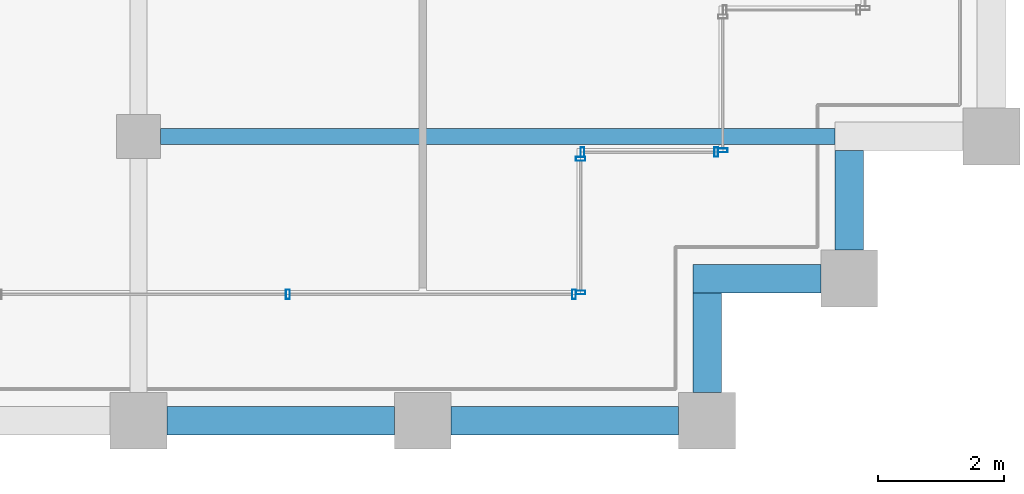
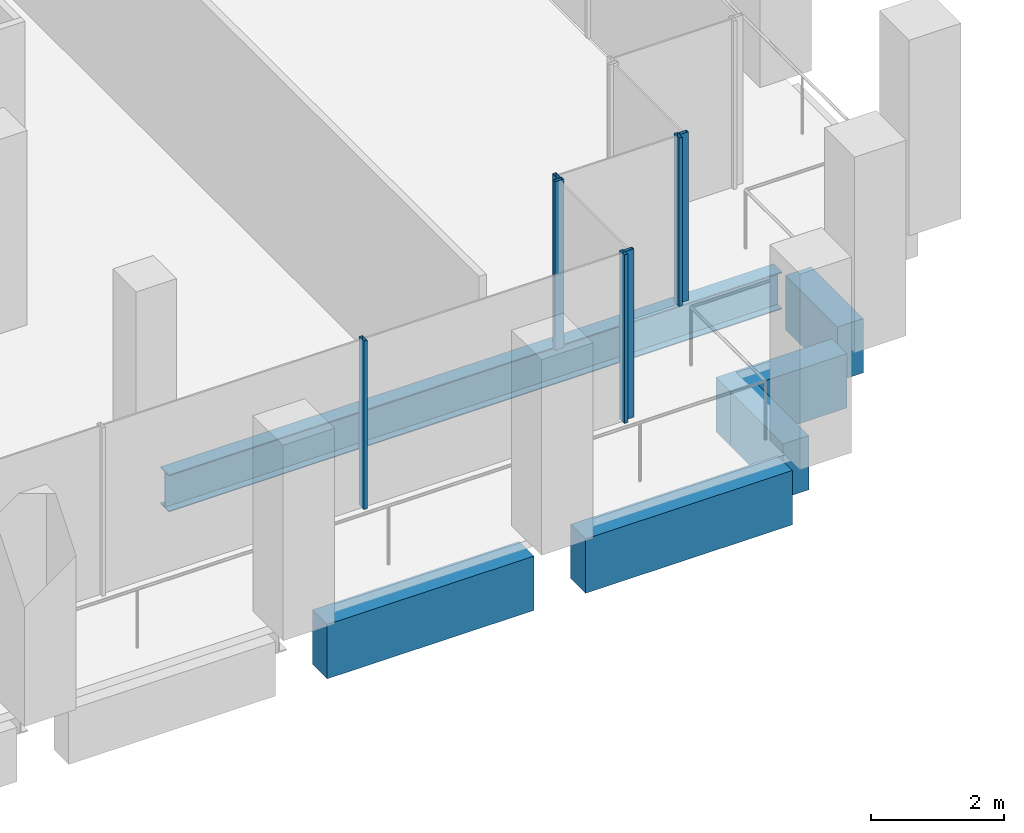
# One storey, part 12 of 40: 7 members, 6 beams, 4 elements without a shape of their own.
"""IFC4 building model written with IfcOpenShell, lengths in metres."""

from ifc_helpers import new_model, si_unit, direction, frame, origin, origin_2d, place, context, subcontext, project, spatial, rectangle, hollow_rectangle, i_section, extrude, material, material_profile, profile_set, type_object, element, aggregate, save


model = new_model("IFC4")

# Units and contexts
model_context = context("Model", 3, precision=1e-05, world=origin(), true_north=direction((0.0, 1.0)))
body_context = subcontext(model_context, "Body", "Model", "MODEL_VIEW")
ifc_project = project(units=[si_unit("LENGTHUNIT", "METRE"), si_unit("AREAUNIT", "SQUARE_METRE"), si_unit("VOLUMEUNIT", "CUBIC_METRE"), si_unit("PLANEANGLEUNIT", "RADIAN"), si_unit("MASSUNIT", "GRAM", prefix="KILO")], contexts=[model_context])

# Site, building, storey
site_placement = place(None, origin())
site = spatial("IfcSite", under=ifc_project, at=site_placement, CompositionType="ELEMENT")
building_placement = place(site_placement, origin())
building = spatial("IfcBuilding", under=site, at=building_placement, Name="Altepetl Exchange Towers", CompositionType="ELEMENT")
storey_placement = place(building_placement, frame((0.0, 0.0, 154.60009765625)))
storey = spatial("IfcBuildingStorey", under=building, at=storey_placement, Name="L38", CompositionType="ELEMENT", Elevation=154.60009765625)

# Beam
ifc_material_1 = material(Name="Steel S355", Category="steel")
ifc_material_profile_1 = material_profile(ifc_material_1, i_section(OverallWidth=0.25390625, OverallDepth=0.68408203125, WebThickness=0.012451171875, FlangeThickness=0.018798828125, at=origin_2d()), Name="W27X94")
ifc_profile_set_1 = profile_set([ifc_material_profile_1], Name="Steel S355")
beam_type_1 = type_object("IfcBeamType", Name="Floor beam W27X94", PredefinedType="BEAM", material=ifc_profile_set_1)
beam_1_placement = place(storey_placement, frame((58.85009765625, 31.5, -0.4921875), z_axis=(1.0, 0.0, 0.0), x_axis=(0.0, 1.0, 0.0)))
element("IfcBeam", 1, at=beam_1_placement, inside=storey, type_object=beam_type_1, Name="bm:A:L38:006", PredefinedType="BEAM", context=body_context, shape_type="SweptSolid", body=[
    extrude(i_section(OverallWidth=0.25390625, OverallDepth=0.68408203125, WebThickness=0.012451171875, FlangeThickness=0.018798828125, at=origin_2d()), origin(), (0.0, 0.0, 1.0), 10.6748046875),
])

# Curtain wall, members
ifc_material_2 = material(Name="Aluminium 6063-T6 glazing", Category="aluminium")
curtain_wall_type = type_object("IfcCurtainWallType", Name="Loggia glazing system", PredefinedType="NOTDEFINED", material=ifc_material_2)
curtain_wall_1_placement = place(storey_placement, origin())
curtain_wall_1 = element("IfcCurtainWall", 2, at=curtain_wall_1_placement, inside=storey, type_object=curtain_wall_type, Name="CW1 run", PredefinedType="NOTDEFINED")
ifc_material_3 = material(Name="Aluminium 6063-T6", Category="aluminium")
ifc_material_profile_2 = material_profile(ifc_material_3, hollow_rectangle(XDim=0.06005859375, YDim=0.14990234375, WallThickness=0.0029296875, at=origin_2d()), Name="Mullion 60x150 aluminium")
ifc_profile_set_2 = profile_set([ifc_material_profile_2], Name="Aluminium 6063-T6")
member_type = type_object("IfcMemberType", Name="Mullion 60x150 aluminium", PredefinedType="MULLION", material=ifc_profile_set_2)
member_1_placement = place(storey_placement, frame((60.8642578125, 29.0, 0.0)))
member_1 = element("IfcMember", 3, at=member_1_placement, type_object=member_type, Name="MU1 mullion", PredefinedType="MULLION", context=body_context, shape_type="SweptSolid", body=[
    extrude(hollow_rectangle(XDim=0.06005859375, YDim=0.14990234375, WallThickness=0.0029296875, at=origin_2d()), origin(), (0.0, 0.0, 1.0), 3.099853515625),
])
member_2_placement = place(storey_placement, frame((65.39501953125, 29.0, 0.0)))
member_2 = element("IfcMember", 4, at=member_2_placement, type_object=member_type, Name="MU1 mullion", PredefinedType="MULLION", context=body_context, shape_type="SweptSolid", body=[
    extrude(hollow_rectangle(XDim=0.06005859375, YDim=0.14990234375, WallThickness=0.0029296875, at=origin_2d()), origin(), (0.0, 0.0, 1.0), 3.099853515625),
])
aggregate(curtain_wall_1, [member_1, member_2])

curtain_wall_2_placement = place(storey_placement, origin())
curtain_wall_2 = element("IfcCurtainWall", 5, at=curtain_wall_2_placement, inside=storey, type_object=curtain_wall_type, Name="CW1 run", PredefinedType="NOTDEFINED")
member_3_placement = place(storey_placement, frame((65.5, 29.030029296875, 0.0), z_axis=(0.0, 0.0, 1.0), x_axis=(0.0, 1.0, 0.0)))
member_3 = element("IfcMember", 6, at=member_3_placement, type_object=member_type, Name="MU1 mullion", PredefinedType="MULLION", context=body_context, shape_type="SweptSolid", body=[
    extrude(hollow_rectangle(XDim=0.06005859375, YDim=0.14990234375, WallThickness=0.0029296875, at=origin_2d()), origin(), (0.0, 0.0, 1.0), 3.099853515625),
])
member_4_placement = place(storey_placement, frame((65.5, 31.14501953125, 0.0), z_axis=(0.0, 0.0, 1.0), x_axis=(0.0, 1.0, 0.0)))
member_4 = element("IfcMember", 7, at=member_4_placement, type_object=member_type, Name="MU1 mullion", PredefinedType="MULLION", context=body_context, shape_type="SweptSolid", body=[
    extrude(hollow_rectangle(XDim=0.06005859375, YDim=0.14990234375, WallThickness=0.0029296875, at=origin_2d()), origin(), (0.0, 0.0, 1.0), 3.099853515625),
])
aggregate(curtain_wall_2, [member_3, member_4])

curtain_wall_3_placement = place(storey_placement, origin())
curtain_wall_3 = element("IfcCurtainWall", 8, at=curtain_wall_3_placement, inside=storey, type_object=curtain_wall_type, Name="CW1 run", PredefinedType="NOTDEFINED")
member_5_placement = place(storey_placement, frame((65.530029296875, 31.25, 0.0)))
member_5 = element("IfcMember", 9, at=member_5_placement, type_object=member_type, Name="MU1 mullion", PredefinedType="MULLION", context=body_context, shape_type="SweptSolid", body=[
    extrude(hollow_rectangle(XDim=0.06005859375, YDim=0.14990234375, WallThickness=0.0029296875, at=origin_2d()), origin(), (0.0, 0.0, 1.0), 3.099853515625),
])
member_6_placement = place(storey_placement, frame((67.64501953125, 31.25, 0.0)))
member_6 = element("IfcMember", 10, at=member_6_placement, type_object=member_type, Name="MU1 mullion", PredefinedType="MULLION", context=body_context, shape_type="SweptSolid", body=[
    extrude(hollow_rectangle(XDim=0.06005859375, YDim=0.14990234375, WallThickness=0.0029296875, at=origin_2d()), origin(), (0.0, 0.0, 1.0), 3.099853515625),
])
aggregate(curtain_wall_3, [member_5, member_6])

# Curtain wall, member
curtain_wall_4_placement = place(storey_placement, origin())
curtain_wall_4 = element("IfcCurtainWall", 11, at=curtain_wall_4_placement, inside=storey, type_object=curtain_wall_type, Name="CW1 run", PredefinedType="NOTDEFINED")
member_7_placement = place(storey_placement, frame((67.75, 31.280029296875, 0.0), z_axis=(0.0, 0.0, 1.0), x_axis=(0.0, 1.0, 0.0)))
member_7 = element("IfcMember", 12, at=member_7_placement, type_object=member_type, Name="MU1 mullion", PredefinedType="MULLION", context=body_context, shape_type="SweptSolid", body=[
    extrude(hollow_rectangle(XDim=0.06005859375, YDim=0.14990234375, WallThickness=0.0029296875, at=origin_2d()), origin(), (0.0, 0.0, 1.0), 3.099853515625),
])
aggregate(curtain_wall_4, [member_7])

# Beams
ifc_material_4 = material(Name="Concrete C50/60 precast with cantera amarilla facing", Category="concrete")
ifc_material_profile_3 = material_profile(ifc_material_4, rectangle(XDim=0.449951171875, YDim=1.0, at=origin_2d()), Name="450 x 1000")
ifc_profile_set_3 = profile_set([ifc_material_profile_3], Name="Concrete C50/60 precast with cantera amarilla facing")
beam_type_2 = type_object("IfcBeamType", Name="Spandrel beam 450x1000 cantera amarilla", PredefinedType="SPANDREL", material=ifc_profile_set_3)
for number, where, z_axis, x_axis, name in (
    (13, (58.949951171875, 27.0, -0.650146484375), (1.0, 0.0, 0.0), (0.0, 1.0, 0.0), "sp:A:L38:006"),
    (14, (63.449951171875, 27.0, -0.650146484375), (1.0, 0.0, 0.0), (0.0, 1.0, 0.0), "sp:A:L38:007"),
):
    element("IfcBeam", number, at=place(storey_placement, frame(where, z_axis=z_axis, x_axis=x_axis)), inside=storey, type_object=beam_type_2, Name=name, PredefinedType="SPANDREL", context=body_context, shape_type="SweptSolid", body=[
        extrude(rectangle(XDim=0.449951171875, YDim=1.0, at=origin_2d()), origin(), (0.0, 0.0, 1.0), 3.60009765625),
    ])
beam_2_placement = place(storey_placement, frame((67.5, 27.449951171875, -0.650146484375), z_axis=(0.0, 1.0, 0.0), x_axis=(-1.0, 0.0, 0.0)))
element("IfcBeam", 15, at=beam_2_placement, inside=storey, type_object=beam_type_2, Name="sp:A:L38:008", PredefinedType="SPANDREL", context=body_context, shape_type="SweptSolid", body=[
    extrude(rectangle(XDim=0.449951171875, YDim=1.0, at=origin_2d()), origin(), (0.0, 0.0, 1.0), 1.574951171875),
])
beam_3_placement = place(storey_placement, frame((67.27490234375, 29.25, -0.650146484375), z_axis=(1.0, 0.0, 0.0), x_axis=(0.0, 1.0, 0.0)))
element("IfcBeam", 16, at=beam_3_placement, inside=storey, type_object=beam_type_2, Name="sp:A:L38:009", PredefinedType="SPANDREL", context=body_context, shape_type="SweptSolid", body=[
    extrude(rectangle(XDim=0.449951171875, YDim=1.0, at=origin_2d()), origin(), (0.0, 0.0, 1.0), 2.025146484375),
])
beam_4_placement = place(storey_placement, frame((69.75, 29.699951171875, -0.650146484375), z_axis=(0.0, 1.0, 0.0), x_axis=(-1.0, 0.0, 0.0)))
element("IfcBeam", 17, at=beam_4_placement, inside=storey, type_object=beam_type_2, Name="sp:A:L38:010", PredefinedType="SPANDREL", context=body_context, shape_type="SweptSolid", body=[
    extrude(rectangle(XDim=0.449951171875, YDim=1.0, at=origin_2d()), origin(), (0.0, 0.0, 1.0), 1.574951171875),
])

save(model, "model.ifc")
